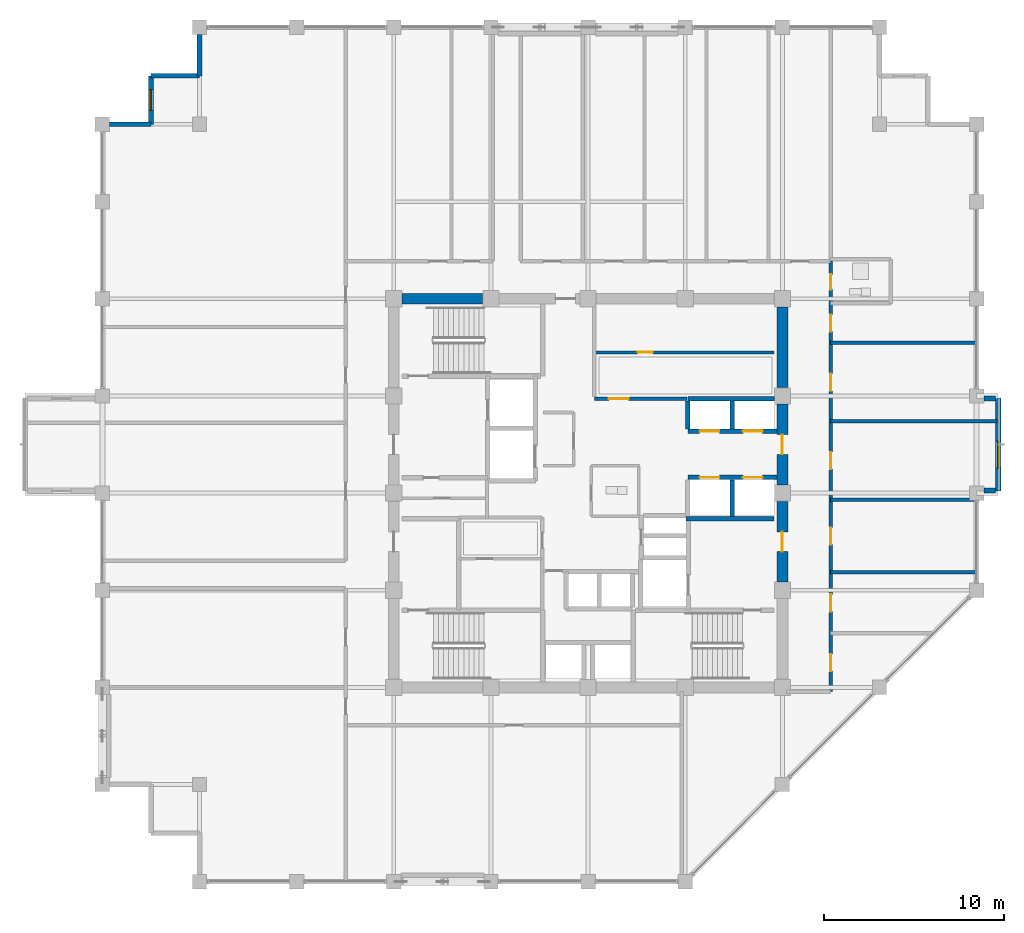
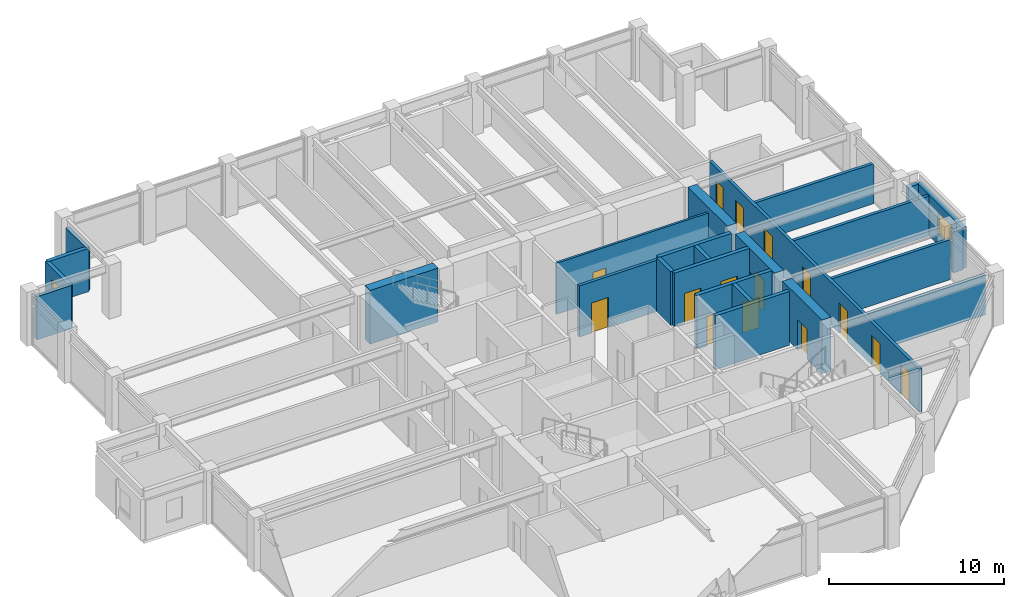
# One storey, part 24 of 28: 25 walls, 15 doors, 2 windows, 17 openings.
"""IFC4 building model written with IfcOpenShell, lengths in metres."""

import ifcopenshell
import ifcopenshell.guid

model = None  # the IFC model being written
_history = None  # IfcOwnerHistory: only IFC2X3 demands one
_inside = {}  # id of a spatial element -> (the spatial element, [elements in it])
_under = {}  # id of a project, library or spatial element -> (it, [spatial elements below it])
_declared = {}  # id of a project -> (the project, [libraries it declares])
_typed = {}  # id of a type object -> (the type object, [elements of that type])
_made_of = {}  # id of a material, layer set ... -> (it, [elements and type objects made of it])


def new_model(schema):
    """Start an empty IFC model of exactly this schema.

    Asked for "IFC4X3", IfcOpenShell would pick the latest addendum, in which some entities
    have other attributes; the version numbers below select the first issue.
    IFC2X3 requires an IfcOwnerHistory on every rooted entity: one is made here for all.
    """
    global model, _history
    if schema == "IFC4X3":
        model = ifcopenshell.file(schema_version=(4, 3, 0, 0))
    else:
        model = ifcopenshell.file(schema=schema)
    _inside.clear()
    _under.clear()
    _declared.clear()
    _typed.clear()
    _made_of.clear()
    _history = None
    if model.schema == "IFC2X3":
        org = make("IfcOrganization", Name="unknown")
        user = make(
            "IfcPersonAndOrganization",
            ThePerson=make("IfcPerson", FamilyName="unknown"),
            TheOrganization=org,
        )
        app = make(
            "IfcApplication",
            ApplicationDeveloper=org,
            Version="unknown",
            ApplicationFullName="unknown",
            ApplicationIdentifier="unknown",
        )
        _history = make(
            "IfcOwnerHistory",
            OwningUser=user,
            OwningApplication=app,
            ChangeAction="ADDED",
            CreationDate=0,
        )
    return model


def make(cls, **values):
    """One entity of the class cls with the attributes given. An attribute that is None is left unset."""
    return model.create_entity(
        cls, **{name: value for name, value in values.items() if value is not None}
    )


def rooted(cls, **values):
    """An entity with a GlobalId (a new one), such as an element, a storey or a relation."""
    return make(cls, GlobalId=ifcopenshell.guid.new(), OwnerHistory=_history, **values)


def si_unit(unit_type, name, prefix=None):
    """IfcSIUnit, for example si_unit("LENGTHUNIT", "METRE", prefix="MILLI")."""
    return make("IfcSIUnit", UnitType=unit_type, Prefix=prefix, Name=name)


def assignment(units):
    """IfcUnitAssignment: the units of a project."""
    return None if units is None else make("IfcUnitAssignment", Units=units)


def point(xyz):
    """IfcCartesianPoint."""
    return None if xyz is None else make("IfcCartesianPoint", Coordinates=xyz)


def direction(xyz):
    """IfcDirection."""
    return None if xyz is None else make("IfcDirection", DirectionRatios=xyz)


def frame(location, z_axis=None, x_axis=None):
    """IfcAxis2Placement3D, a coordinate frame: its origin and axes. An axis left out is left unset."""
    return make(
        "IfcAxis2Placement3D",
        Location=point(location),
        Axis=direction(z_axis),
        RefDirection=direction(x_axis),
    )


def frame_2d(location, x_axis=None):
    """IfcAxis2Placement2D, a coordinate frame in the plane: its origin and x axis."""
    return make(
        "IfcAxis2Placement2D", Location=point(location), RefDirection=direction(x_axis)
    )


def origin():
    """The frame at (0, 0, 0) with its axes left unset."""
    return frame((0.0, 0.0, 0.0))


def place(relative_to, where):
    """IfcLocalPlacement: puts the frame where relative to a parent placement (None: the world)."""
    return make(
        "IfcLocalPlacement", PlacementRelTo=relative_to, RelativePlacement=where
    )


def context(
    kind, dimensions, precision=None, world=None, true_north=None, identifier=None
):
    """IfcGeometricRepresentationContext, for example the 3D "Model" context."""
    return make(
        "IfcGeometricRepresentationContext",
        ContextIdentifier=identifier,
        ContextType=kind,
        CoordinateSpaceDimension=dimensions,
        Precision=precision,
        WorldCoordinateSystem=world,
        TrueNorth=true_north,
    )


def subcontext(parent, identifier, kind, view, scale=None):
    """IfcGeometricRepresentationSubContext, for example "Body" below "Model"."""
    return make(
        "IfcGeometricRepresentationSubContext",
        ContextIdentifier=identifier,
        ContextType=kind,
        ParentContext=parent,
        TargetScale=scale,
        TargetView=view,
    )


def project(units=None, contexts=None):
    """IfcProject with its units and contexts."""
    return rooted(
        "IfcProject",
        Name="project",
        RepresentationContexts=contexts,
        UnitsInContext=assignment(units),
    )


def spatial(cls, under=None, at=None, **own):
    """A site, building, storey or space (cls), placed at a placement, below another one or the project."""
    s = rooted(cls, ObjectPlacement=at, **own)
    if under is not None:
        _under.setdefault(under.id(), (under, []))[1].append(s)
    return s


def profile(cls, at=None, kind="AREA", **sizes):
    """A parametric profile (cls). Its sizes go by their IFC names, for example OverallWidth=200.0."""
    return make(cls, ProfileType=kind, Position=at, **sizes)


def rectangle(**sizes):
    """IfcRectangleProfileDef."""
    return profile("IfcRectangleProfileDef", **sizes)


def extrude(swept, where, along, depth):
    """IfcExtrudedAreaSolid: the profile swept, set in the frame where, extruded along a direction by depth."""
    return make(
        "IfcExtrudedAreaSolid",
        SweptArea=swept,
        Position=where,
        ExtrudedDirection=direction(along),
        Depth=depth,
    )


def shape(context_of_items, identifier, shape_type, items):
    """IfcShapeRepresentation: the items that make up one representation, for example the "Body"."""
    return make(
        "IfcShapeRepresentation",
        ContextOfItems=context_of_items,
        RepresentationIdentifier=identifier,
        RepresentationType=shape_type,
        Items=items,
    )


def material(Name=None, Category=None):
    """IfcMaterial."""
    return make("IfcMaterial", Name=Name, Category=Category)


def layer(
    of_material, thickness, ventilated=None, Name=None, Category=None, Priority=None
):
    """IfcMaterialLayer: one layer of a wall or slab, of a material (None: an air gap)."""
    return make(
        "IfcMaterialLayer",
        Material=of_material,
        LayerThickness=thickness,
        IsVentilated=ventilated,
        Name=Name,
        Category=Category,
        Priority=Priority,
    )


def layer_set(layers, Name=None):
    """IfcMaterialLayerSet."""
    return make("IfcMaterialLayerSet", MaterialLayers=layers, LayerSetName=Name)


def made_of(thing, what):
    """Note that an element or type object is made of a material, layer set ...; save() writes the relation."""
    if what is not None:
        _made_of.setdefault(what.id(), (what, []))[1].append(thing)
    return thing


def type_object(cls, material=None, **own):
    """A type object (cls), such as IfcWallType, which elements share."""
    return made_of(rooted(cls, **own), material)


def element(
    cls,
    number,
    at=None,
    inside=None,
    cuts=None,
    type_object=None,
    material=None,
    context=None,
    identifier="Body",
    shape_type=None,
    held_by="IfcProductDefinitionShape",
    body=None,
    shapes=None,
    **own,
):
    """One element of the class cls, such as IfcWall. Its Tag is "e" and its number.

    at: its placement. inside: the storey or other place that contains it. cuts: it is an
    opening in that element (IfcRelVoidsElement). A single representation is given by context,
    identifier, shape_type and body (its items); several are given by shapes. held_by: the class
    of the entity that holds the representations. save() writes the other relations.
    """
    e = rooted(cls, Tag="e%d" % number, ObjectPlacement=at, **own)
    if body is not None:
        shapes = [shape(context, identifier, shape_type, body)]
    if shapes is not None:
        e.Representation = make(held_by, Representations=shapes)
    if inside is not None:
        _inside.setdefault(inside.id(), (inside, []))[1].append(e)
    if cuts is not None:
        rooted(
            "IfcRelVoidsElement", RelatingBuildingElement=cuts, RelatedOpeningElement=e
        )
    if type_object is not None:
        _typed.setdefault(type_object.id(), (type_object, []))[1].append(e)
    return made_of(e, material)


def fill(opening, filler):
    """IfcRelFillsElement: the door or window that sits in an opening."""
    return rooted(
        "IfcRelFillsElement",
        RelatingOpeningElement=opening,
        RelatedBuildingElement=filler,
    )


def aggregate(whole, parts):
    """IfcRelAggregates: a whole, such as a stair, and the parts it consists of."""
    return rooted("IfcRelAggregates", RelatingObject=whole, RelatedObjects=parts)


def save(model, path):
    """Write the relations noted so far, then the file.

    IfcRelAggregates (storeys below a building ...), IfcRelContainedInSpatialStructure (elements
    in a storey), IfcRelDefinesByType, IfcRelAssociatesMaterial and IfcRelDeclares: one each for
    every whole, place, type object, material and project.
    """
    for whole, parts in _under.values():
        aggregate(whole, parts)
    for where, things in _inside.values():
        rooted(
            "IfcRelContainedInSpatialStructure",
            RelatedElements=things,
            RelatingStructure=where,
        )
    for kind, things in _typed.values():
        rooted("IfcRelDefinesByType", RelatedObjects=things, RelatingType=kind)
    for what, things in _made_of.values():
        rooted("IfcRelAssociatesMaterial", RelatedObjects=things, RelatingMaterial=what)
    for by, libraries in _declared.values():
        rooted("IfcRelDeclares", RelatingContext=by, RelatedDefinitions=libraries)
    model.write(path)


model = new_model("IFC4")

# Units and contexts
model_context = context("Model", 3, precision=1e-05, world=origin(), true_north=direction((0.0, 1.0)))
body_context = subcontext(model_context, "Body", "Model", "MODEL_VIEW")
ifc_project = project(units=[si_unit("LENGTHUNIT", "METRE"), si_unit("AREAUNIT", "SQUARE_METRE"), si_unit("VOLUMEUNIT", "CUBIC_METRE"), si_unit("PLANEANGLEUNIT", "RADIAN"), si_unit("MASSUNIT", "GRAM", prefix="KILO")], contexts=[model_context])

# Site, building, storey
site_placement = place(None, origin())
site = spatial("IfcSite", under=ifc_project, at=site_placement, CompositionType="ELEMENT")
building_placement = place(site_placement, origin())
building = spatial("IfcBuilding", under=site, at=building_placement, Name="Surkhivell Harbour Commons", CompositionType="ELEMENT")
storey_placement = place(building_placement, frame((0.0, 0.0, 242.25)))
storey = spatial("IfcBuildingStorey", under=building, at=storey_placement, Name="L63", CompositionType="ELEMENT", Elevation=242.25)

# Wall
ifc_material_1 = material(Name="Concrete C60/75", Category="concrete")
ifc_layer_1 = layer(ifc_material_1, 0.60009765625)
ifc_layer_set_1 = layer_set([ifc_layer_1], Name="Concrete C60/75")
wall_type_1 = type_object("IfcWallType", Name="WAL-CORE-600", PredefinedType="SHEAR", material=ifc_layer_set_1)
wall_1_placement = place(storey_placement, frame((-10.340087890625, 10.800048828125, 0.0), z_axis=(0.0, 0.0, 1.0), x_axis=(1.0, 0.0, 0.0)))
element("IfcWall", 1, at=wall_1_placement, inside=storey, type_object=wall_type_1, Name="L63 Core Shear Wall North 1", PredefinedType="SHEAR", context=body_context, shape_type="SweptSolid", body=[
    extrude(rectangle(XDim=4.47998046875, YDim=0.60009765625, at=frame_2d((2.239990234375, 0.0))), origin(), (0.0, 0.0, 1.0), 3.75),
])

# Wall, opening, door
wall_2_placement = place(storey_placement, frame((10.800048828125, -4.93994140625, 0.0), z_axis=(0.0, 0.0, 1.0), x_axis=(0.0, 1.0, 0.0)))
wall_2 = element("IfcWall", 2, at=wall_2_placement, inside=storey, type_object=wall_type_1, Name="L63 Core Shear Wall East 2", PredefinedType="SHEAR", context=body_context, shape_type="SweptSolid", body=[
    extrude(rectangle(XDim=4.47998046875, YDim=0.60009765625, at=frame_2d((2.239990234375, 0.0))), origin(), (0.0, 0.0, 1.0), 3.75),
])
opening_1_placement = place(wall_2_placement, frame((1.68994140625, 0.0, 0.0)))
opening_1 = element("IfcOpeningElement", 3, at=opening_1_placement, cuts=wall_2, Name="Opening ID-1", PredefinedType="OPENING", context=body_context, shape_type="SweptSolid", body=[
    extrude(rectangle(XDim=1.10009765625, YDim=2.10009765625, at=frame_2d((0.550048828125, 1.050048828125))), frame((0.0, 0.31005859375, 0.0), z_axis=(0.0, -1.0, 0.0), x_axis=(1.0, 0.0, 0.0)), (0.0, 0.0, 1.0), 0.6201171875),
])
ifc_material_2 = material(Name="Hardwood-veneered fire-rated door leaf", Category="wood")
door_type_1 = type_object("IfcDoorType", Name="DOR-FD120-1100", OperationType="NOTDEFINED", PredefinedType="DOOR", material=ifc_material_2)
door_1_placement = place(opening_1_placement, origin())
door_1 = element("IfcDoor", 4, at=door_1_placement, inside=storey, type_object=door_type_1, Name="L63 Firefighting Lobby 2 Corridor Door", OperationType="SINGLE_SWING_RIGHT", OverallHeight=2.10009765625, OverallWidth=1.10009765625, PredefinedType="DOOR", context=body_context, shape_type="SweptSolid", body=[
    extrude(rectangle(XDim=1.10009765625, YDim=2.10009765625, at=frame_2d((0.550048828125, 1.050048828125))), frame((0.0, 0.02490234375, 0.0), z_axis=(0.0, -1.0, 0.0), x_axis=(1.0, 0.0, 0.0)), (0.0, 0.0, 1.0), 0.050048828125),
])
fill(opening_1, door_1)

wall_3_placement = place(storey_placement, frame((10.800048828125, 0.4599609375, 0.0), z_axis=(0.0, 0.0, 1.0), x_axis=(0.0, 1.0, 0.0)))
wall_3 = element("IfcWall", 5, at=wall_3_placement, inside=storey, type_object=wall_type_1, Name="L63 Core Shear Wall East 3", PredefinedType="SHEAR", context=body_context, shape_type="SweptSolid", body=[
    extrude(rectangle(XDim=4.47998046875, YDim=0.60009765625, at=frame_2d((2.239990234375, 0.0))), origin(), (0.0, 0.0, 1.0), 3.75),
])
opening_2_placement = place(wall_3_placement, frame((1.68994140625, 0.0, 0.0)))
opening_2 = element("IfcOpeningElement", 6, at=opening_2_placement, cuts=wall_3, Name="Opening ID-2", PredefinedType="OPENING", context=body_context, shape_type="SweptSolid", body=[
    extrude(rectangle(XDim=1.10009765625, YDim=2.10009765625, at=frame_2d((0.550048828125, 1.050048828125))), frame((0.0, 0.31005859375, 0.0), z_axis=(0.0, -1.0, 0.0), x_axis=(1.0, 0.0, 0.0)), (0.0, 0.0, 1.0), 0.6201171875),
])
door_type_2 = type_object("IfcDoorType", Name="DOR-FD60-1100", OperationType="NOTDEFINED", PredefinedType="DOOR", material=ifc_material_2)
door_2_placement = place(opening_2_placement, origin())
door_2 = element("IfcDoor", 7, at=door_2_placement, inside=storey, type_object=door_type_2, Name="L63 Mid-Rise Lobby East Door", OperationType="SINGLE_SWING_LEFT", OverallHeight=2.10009765625, OverallWidth=1.10009765625, PredefinedType="DOOR", context=body_context, shape_type="SweptSolid", body=[
    extrude(rectangle(XDim=1.10009765625, YDim=2.10009765625, at=frame_2d((0.550048828125, 1.050048828125))), frame((0.0, 0.02490234375, 0.0), z_axis=(0.0, -1.0, 0.0), x_axis=(1.0, 0.0, 0.0)), (0.0, 0.0, 1.0), 0.050048828125),
])
fill(opening_2, door_2)

# Walls
wall_4_placement = place(storey_placement, frame((10.800048828125, 5.860107421875, 0.0), z_axis=(0.0, 0.0, 1.0), x_axis=(0.0, 1.0, 0.0)))
element("IfcWall", 8, at=wall_4_placement, inside=storey, type_object=wall_type_1, Name="L63 Core Shear Wall East 4", PredefinedType="SHEAR", context=body_context, shape_type="SweptSolid", body=[
    extrude(rectangle(XDim=4.47998046875, YDim=0.60009765625, at=frame_2d((2.239990234375, 0.0))), origin(), (0.0, 0.0, 1.0), 3.75),
])
ifc_material_3 = material(Name="Pale-metal insulated precast concrete C45/55", Category="concrete")
ifc_layer_2 = layer(ifc_material_3, 0.260009765625)
ifc_layer_set_2 = layer_set([ifc_layer_2], Name="Pale-metal insulated precast concrete C45/55")
wall_type_2 = type_object("IfcWallType", Name="WAL-EXT-MTL260", PredefinedType="STANDARD", material=ifc_layer_set_2)
wall_5_placement = place(storey_placement, frame((-21.60009765625, 25.501953125, 0.0), z_axis=(0.0, 0.0, 1.0), x_axis=(0.0, -1.0, 0.0)))
element("IfcWall", 9, at=wall_5_placement, inside=storey, type_object=wall_type_2, Name="L63 Serrated Corner Facade Wall 08", PredefinedType="STANDARD", context=body_context, shape_type="SweptSolid", body=[
    extrude(rectangle(XDim=2.302001953125, YDim=0.260009765625, at=frame_2d((1.15087890625, 0.0))), origin(), (0.0, 0.0, 1.0), 3.006103515625),
])
wall_6_placement = place(storey_placement, frame((-21.60009765625, 23.199951171875, 0.0), z_axis=(0.0, 0.0, 1.0), x_axis=(-1.0, 0.0, 0.0)))
element("IfcWall", 10, at=wall_6_placement, inside=storey, type_object=wall_type_2, Name="L63 Serrated Corner Facade Wall 09", PredefinedType="STANDARD", context=body_context, shape_type="SweptSolid", body=[
    extrude(rectangle(XDim=2.699951171875, YDim=0.260009765625, at=frame_2d((1.35009765625, 0.0))), origin(), (0.0, 0.0, 1.0), 3.006103515625),
])

# Wall, opening, window
wall_7_placement = place(storey_placement, frame((-24.300048828125, 23.199951171875, 0.0), z_axis=(0.0, 0.0, 1.0), x_axis=(0.0, -1.0, 0.0)))
wall_7 = element("IfcWall", 11, at=wall_7_placement, inside=storey, type_object=wall_type_2, Name="L63 Serrated Corner Facade Wall 10", PredefinedType="STANDARD", context=body_context, shape_type="SweptSolid", body=[
    extrude(rectangle(XDim=2.699951171875, YDim=0.260009765625, at=frame_2d((1.35009765625, 0.0))), origin(), (0.0, 0.0, 1.0), 3.006103515625),
])
opening_3_placement = place(wall_7_placement, frame((0.77490234375, 0.0, 0.64990234375)))
opening_3 = element("IfcOpeningElement", 12, at=opening_3_placement, cuts=wall_7, Name="Opening WN-10", PredefinedType="OPENING", context=body_context, shape_type="SweptSolid", body=[
    extrude(rectangle(XDim=1.14990234375, YDim=1.550048828125, at=frame_2d((0.574951171875, 0.77490234375))), frame((0.0, 0.139892578125, 0.0), z_axis=(0.0, -1.0, 0.0), x_axis=(1.0, 0.0, 0.0)), (0.0, 0.0, 1.0), 0.280029296875),
])
ifc_material_4 = material(Name="Thermal-break aluminium frame and double low-E glazing", Category="aluminium")
window_type_1 = type_object("IfcWindowType", Name="WIN-SER-1150x1550", PartitioningType="SINGLE_PANEL", PredefinedType="WINDOW", material=ifc_material_4)
window_1_placement = place(opening_3_placement, origin())
window_1 = element("IfcWindow", 13, at=window_1_placement, inside=storey, type_object=window_type_1, Name="L63 Serrated Alcove Window 10", OverallHeight=1.550048828125, OverallWidth=1.14990234375, PartitioningType="SINGLE_PANEL", PredefinedType="WINDOW", context=body_context, shape_type="SweptSolid", body=[
    extrude(rectangle(XDim=1.14990234375, YDim=1.550048828125, at=frame_2d((0.574951171875, 0.77490234375))), frame((0.0, 0.030029296875, 0.0), z_axis=(0.0, -1.0, 0.0), x_axis=(1.0, 0.0, 0.0)), (0.0, 0.0, 1.0), 0.06005859375),
])
fill(opening_3, window_1)

# Wall
wall_8_placement = place(storey_placement, frame((-24.300048828125, 20.5, 0.0), z_axis=(0.0, 0.0, 1.0), x_axis=(-1.0, 0.0, 0.0)))
element("IfcWall", 14, at=wall_8_placement, inside=storey, type_object=wall_type_2, Name="L63 Serrated Corner Facade Wall 11", PredefinedType="STANDARD", context=body_context, shape_type="SweptSolid", body=[
    extrude(rectangle(XDim=2.302001953125, YDim=0.260009765625, at=frame_2d((1.15087890625, 0.0))), origin(), (0.0, 0.0, 1.0), 3.006103515625),
])

# Wall, opening, window
ifc_material_5 = material(Name="Terracotta-clad reinforced concrete C45/55", Category="masonry")
ifc_layer_3 = layer(ifc_material_5, 0.280029296875)
ifc_layer_set_3 = layer_set([ifc_layer_3], Name="Terracotta-clad reinforced concrete C45/55")
wall_type_3 = type_object("IfcWallType", Name="WAL-EXT-TER280", PredefinedType="STANDARD", material=ifc_layer_set_3)
wall_9_placement = place(storey_placement, frame((22.800048828125, 0.1201171875, 0.0), z_axis=(0.0, 0.0, 1.0), x_axis=(0.0, 1.0, 0.0)))
wall_9 = element("IfcWall", 15, at=wall_9_placement, inside=storey, type_object=wall_type_3, Name="L63 Coloured Box Front Wall 01", PredefinedType="STANDARD", context=body_context, shape_type="SweptSolid", body=[
    extrude(rectangle(XDim=5.159912109375, YDim=0.280029296875, at=frame_2d((2.580078125, 0.0))), origin(), (0.0, 0.0, 1.0), 2.85693359375),
])
opening_4_placement = place(wall_9_placement, frame((1.27490234375, 0.0, 0.75)))
opening_4 = element("IfcOpeningElement", 16, at=opening_4_placement, cuts=wall_9, Name="Opening WN-13", PredefinedType="OPENING", context=body_context, shape_type="SweptSolid", body=[
    extrude(rectangle(XDim=1.5, YDim=1.5, at=frame_2d((0.75, 0.75))), frame((0.0, 0.14990234375, 0.0), z_axis=(0.0, -1.0, 0.0), x_axis=(1.0, 0.0, 0.0)), (0.0, 0.0, 1.0), 0.300048828125),
])
window_type_2 = type_object("IfcWindowType", Name="WIN-BOX-1500x1500", PartitioningType="SINGLE_PANEL", PredefinedType="WINDOW", material=ifc_material_4)
window_2_placement = place(opening_4_placement, origin())
window_2 = element("IfcWindow", 17, at=window_2_placement, inside=storey, type_object=window_type_2, Name="L63 Coloured Box Square Window 01-1", OverallHeight=1.5, OverallWidth=1.5, PartitioningType="SINGLE_PANEL", PredefinedType="WINDOW", context=body_context, shape_type="SweptSolid", body=[
    extrude(rectangle(XDim=1.5, YDim=1.5, at=frame_2d((0.75, 0.75))), frame((0.0, 0.030029296875, 0.0), z_axis=(0.0, -1.0, 0.0), x_axis=(1.0, 0.0, 0.0)), (0.0, 0.0, 1.0), 0.06005859375),
])
fill(opening_4, window_2)

# Walls
for number, where, z_axis, x_axis, name in (
    (18, (22.00390625, 0.139892578125, 0.0), (0.0, 0.0, 1.0), (1.0, 0.0, 0.0), "L63 Coloured Box Return Wall 01S"),
    (19, (22.00390625, 5.260009765625, 0.0), (0.0, 0.0, 1.0), (1.0, 0.0, 0.0), "L63 Coloured Box Return Wall 01N"),
):
    element("IfcWall", number, at=place(storey_placement, frame(where, z_axis=z_axis, x_axis=x_axis)), inside=storey, type_object=wall_type_3, Name=name, PredefinedType="STANDARD", context=body_context, shape_type="SweptSolid", body=[
        extrude(rectangle(XDim=0.656005859375, YDim=0.280029296875, at=frame_2d((0.328125, 0.0))), origin(), (0.0, 0.0, 1.0), 2.85693359375),
    ])

# Wall, opening, door
ifc_material_6 = material(Name="Twin-stud acoustic fireboard partition", Category="other")
ifc_layer_4 = layer(ifc_material_6, 0.14990234375)
ifc_layer_set_4 = layer_set([ifc_layer_4], Name="Twin-stud acoustic fireboard partition")
wall_type_4 = type_object("IfcWallType", Name="WAL-INT-150", PredefinedType="PARTITIONING", material=ifc_layer_set_4)
wall_10_placement = place(storey_placement, frame((0.35009765625, 7.820068359375, 0.0), z_axis=(0.0, 0.0, 1.0), x_axis=(1.0, 0.0, 0.0)))
wall_10 = element("IfcWall", 20, at=wall_10_placement, inside=storey, type_object=wall_type_4, Name="L63 Core Archive Partition", PredefinedType="PARTITIONING", context=body_context, shape_type="SweptSolid", body=[
    extrude(rectangle(XDim=9.989990234375, YDim=0.14990234375, at=frame_2d((4.9951171875, 0.0))), origin(), (0.0, 0.0, 1.0), 3.570068359375),
])
opening_5_placement = place(wall_10_placement, frame((2.39990234375, 0.0, 0.0)))
opening_5 = element("IfcOpeningElement", 21, at=opening_5_placement, cuts=wall_10, Name="Opening ID-6", PredefinedType="OPENING", context=body_context, shape_type="SweptSolid", body=[
    extrude(rectangle(XDim=0.85009765625, YDim=2.10009765625, at=frame_2d((0.425048828125, 1.050048828125))), frame((0.0, 0.0849609375, 0.0), z_axis=(0.0, -1.0, 0.0), x_axis=(1.0, 0.0, 0.0)), (0.0, 0.0, 1.0), 0.169921875),
])
door_type_3 = type_object("IfcDoorType", Name="DOR-FD30-850", OperationType="NOTDEFINED", PredefinedType="DOOR", material=ifc_material_2)
door_3_placement = place(opening_5_placement, origin())
door_3 = element("IfcDoor", 22, at=door_3_placement, inside=storey, type_object=door_type_3, Name="L63 Archive Room Door", OperationType="SINGLE_SWING_LEFT", OverallHeight=2.10009765625, OverallWidth=0.85009765625, PredefinedType="DOOR", context=body_context, shape_type="SweptSolid", body=[
    extrude(rectangle(XDim=0.85009765625, YDim=2.10009765625, at=frame_2d((0.425048828125, 1.050048828125))), frame((0.0, 0.02490234375, 0.0), z_axis=(0.0, -1.0, 0.0), x_axis=(1.0, 0.0, 0.0)), (0.0, 0.0, 1.0), 0.050048828125),
])
fill(opening_5, door_3)

ifc_material_7 = material(Name="Autoclaved aerated concrete blockwork and fire plaster", Category="masonry")
ifc_layer_5 = layer(ifc_material_7, 0.199951171875)
ifc_layer_set_5 = layer_set([ifc_layer_5], Name="Autoclaved aerated concrete blockwork and fire plaster")
wall_type_5 = type_object("IfcWallType", Name="WAL-INT-200", PredefinedType="PARTITIONING", material=ifc_layer_set_5)
wall_11_placement = place(storey_placement, frame((0.35009765625, 5.239990234375, 0.0), z_axis=(0.0, 0.0, 1.0), x_axis=(1.0, 0.0, 0.0)))
wall_11 = element("IfcWall", 23, at=wall_11_placement, inside=storey, type_object=wall_type_5, Name="L63 Reclaimed Core North Bay South Wall", PredefinedType="PARTITIONING", context=body_context, shape_type="SweptSolid", body=[
    extrude(rectangle(XDim=5.14990234375, YDim=0.199951171875, at=frame_2d((2.574951171875, 0.0))), origin(), (0.0, 0.0, 1.0), 3.570068359375),
])
opening_6_placement = place(wall_11_placement, frame((0.800048828125, 0.0, 0.0)))
opening_6 = element("IfcOpeningElement", 24, at=opening_6_placement, cuts=wall_11, Name="Opening ID-2", PredefinedType="OPENING", context=body_context, shape_type="SweptSolid", body=[
    extrude(rectangle(XDim=1.10009765625, YDim=2.10009765625, at=frame_2d((0.550048828125, 1.050048828125))), frame((0.0, 0.10986328125, 0.0), z_axis=(0.0, -1.0, 0.0), x_axis=(1.0, 0.0, 0.0)), (0.0, 0.0, 1.0), 0.219970703125),
])
door_4_placement = place(opening_6_placement, origin())
door_4 = element("IfcDoor", 25, at=door_4_placement, inside=storey, type_object=door_type_2, Name="L63 Study Alcove Door", OperationType="SINGLE_SWING_RIGHT", OverallHeight=2.10009765625, OverallWidth=1.10009765625, PredefinedType="DOOR", context=body_context, shape_type="SweptSolid", body=[
    extrude(rectangle(XDim=1.10009765625, YDim=2.10009765625, at=frame_2d((0.550048828125, 1.050048828125))), frame((0.0, 0.02490234375, 0.0), z_axis=(0.0, -1.0, 0.0), x_axis=(1.0, 0.0, 0.0)), (0.0, 0.0, 1.0), 0.050048828125),
])
fill(opening_6, door_4)

# Wall, openings, doors
wall_12_placement = place(storey_placement, frame((13.47998046875, -11.0400390625, 0.0), z_axis=(0.0, 0.0, 1.0), x_axis=(0.0, 1.0, 0.0)))
wall_12 = element("IfcWall", 26, at=wall_12_placement, inside=storey, type_object=wall_type_5, Name="L63 Corridor East Wall", PredefinedType="PARTITIONING", context=body_context, shape_type="SweptSolid", body=[
    extrude(rectangle(XDim=23.93994140625, YDim=0.199951171875, at=frame_2d((11.969970703125, 0.0))), origin(), (0.0, 0.0, 1.0), 3.006103515625),
])
opening_7_placement = place(wall_12_placement, frame((1.139892578125, 0.0, 0.0)))
opening_7 = element("IfcOpeningElement", 27, at=opening_7_placement, cuts=wall_12, Name="Opening ID-4", PredefinedType="OPENING", context=body_context, shape_type="SweptSolid", body=[
    extrude(rectangle(XDim=0.949951171875, YDim=2.10009765625, at=frame_2d((0.47509765625, 1.050048828125))), frame((0.0, 0.10986328125, 0.0), z_axis=(0.0, -1.0, 0.0), x_axis=(1.0, 0.0, 0.0)), (0.0, 0.0, 1.0), 0.219970703125),
])
opening_8_placement = place(wall_12_placement, frame((22.344970703125, 0.0, 0.0)))
opening_8 = element("IfcOpeningElement", 28, at=opening_8_placement, cuts=wall_12, Name="Opening ID-6", PredefinedType="OPENING", context=body_context, shape_type="SweptSolid", body=[
    extrude(rectangle(XDim=0.85009765625, YDim=2.10009765625, at=frame_2d((0.425048828125, 1.050048828125))), frame((0.0, 0.10986328125, 0.0), z_axis=(0.0, -1.0, 0.0), x_axis=(1.0, 0.0, 0.0)), (0.0, 0.0, 1.0), 0.219970703125),
])
opening_9_placement = place(wall_12_placement, frame((20.010009765625, 0.0, 0.0)))
opening_9 = element("IfcOpeningElement", 29, at=opening_9_placement, cuts=wall_12, Name="Opening ID-4", PredefinedType="OPENING", context=body_context, shape_type="SweptSolid", body=[
    extrude(rectangle(XDim=0.949951171875, YDim=2.10009765625, at=frame_2d((0.47509765625, 1.050048828125))), frame((0.0, 0.10986328125, 0.0), z_axis=(0.0, -1.0, 0.0), x_axis=(1.0, 0.0, 0.0)), (0.0, 0.0, 1.0), 0.219970703125),
])
opening_10_placement = place(wall_12_placement, frame((4.455078125, 0.0, 0.0)))
opening_10 = element("IfcOpeningElement", 30, at=opening_10_placement, cuts=wall_12, Name="Opening ID-4", PredefinedType="OPENING", context=body_context, shape_type="SweptSolid", body=[
    extrude(rectangle(XDim=0.949951171875, YDim=2.10009765625, at=frame_2d((0.47509765625, 1.050048828125))), frame((0.0, 0.10986328125, 0.0), z_axis=(0.0, -1.0, 0.0), x_axis=(1.0, 0.0, 0.0)), (0.0, 0.0, 1.0), 0.219970703125),
])
opening_11_placement = place(wall_12_placement, frame((8.169921875, 0.0, 0.0)))
opening_11 = element("IfcOpeningElement", 31, at=opening_11_placement, cuts=wall_12, Name="Opening ID-4", PredefinedType="OPENING", context=body_context, shape_type="SweptSolid", body=[
    extrude(rectangle(XDim=0.949951171875, YDim=2.10009765625, at=frame_2d((0.47509765625, 1.050048828125))), frame((0.0, 0.10986328125, 0.0), z_axis=(0.0, -1.0, 0.0), x_axis=(1.0, 0.0, 0.0)), (0.0, 0.0, 1.0), 0.219970703125),
])
opening_12_placement = place(wall_12_placement, frame((12.3701171875, 0.0, 0.0)))
opening_12 = element("IfcOpeningElement", 32, at=opening_12_placement, cuts=wall_12, Name="Opening ID-4", PredefinedType="OPENING", context=body_context, shape_type="SweptSolid", body=[
    extrude(rectangle(XDim=0.949951171875, YDim=2.10009765625, at=frame_2d((0.47509765625, 1.050048828125))), frame((0.0, 0.10986328125, 0.0), z_axis=(0.0, -1.0, 0.0), x_axis=(1.0, 0.0, 0.0)), (0.0, 0.0, 1.0), 0.219970703125),
])
opening_13_placement = place(wall_12_placement, frame((16.72998046875, 0.0, 0.0)))
opening_13 = element("IfcOpeningElement", 33, at=opening_13_placement, cuts=wall_12, Name="Opening ID-4", PredefinedType="OPENING", context=body_context, shape_type="SweptSolid", body=[
    extrude(rectangle(XDim=0.949951171875, YDim=2.10009765625, at=frame_2d((0.47509765625, 1.050048828125))), frame((0.0, 0.10986328125, 0.0), z_axis=(0.0, -1.0, 0.0), x_axis=(1.0, 0.0, 0.0)), (0.0, 0.0, 1.0), 0.219970703125),
])
door_5_placement = place(opening_8_placement, origin())
door_5 = element("IfcDoor", 34, at=door_5_placement, inside=storey, type_object=door_type_3, Name="L63 Communal Shower Bathroom East Door", OperationType="SINGLE_SWING_LEFT", OverallHeight=2.10009765625, OverallWidth=0.85009765625, PredefinedType="DOOR", context=body_context, shape_type="SweptSolid", body=[
    extrude(rectangle(XDim=0.85009765625, YDim=2.10009765625, at=frame_2d((0.425048828125, 1.050048828125))), frame((0.0, 0.02490234375, 0.0), z_axis=(0.0, -1.0, 0.0), x_axis=(1.0, 0.0, 0.0)), (0.0, 0.0, 1.0), 0.050048828125),
])
fill(opening_8, door_5)
door_type_4 = type_object("IfcDoorType", Name="DOR-FD60-950", OperationType="NOTDEFINED", PredefinedType="DOOR", material=ifc_material_2)
door_6_placement = place(opening_7_placement, origin())
door_6 = element("IfcDoor", 35, at=door_6_placement, inside=storey, type_object=door_type_4, Name="L63 Shared Communal Kitchen East Door", OperationType="SINGLE_SWING_RIGHT", OverallHeight=2.10009765625, OverallWidth=0.949951171875, PredefinedType="DOOR", context=body_context, shape_type="SweptSolid", body=[
    extrude(rectangle(XDim=0.949951171875, YDim=2.10009765625, at=frame_2d((0.47509765625, 1.050048828125))), frame((0.0, 0.02490234375, 0.0), z_axis=(0.0, -1.0, 0.0), x_axis=(1.0, 0.0, 0.0)), (0.0, 0.0, 1.0), 0.050048828125),
])
fill(opening_7, door_6)
door_7_placement = place(opening_9_placement, origin())
door_7 = element("IfcDoor", 36, at=door_7_placement, inside=storey, type_object=door_type_4, Name="L63 Academic Reading Commons East Door", OperationType="SINGLE_SWING_RIGHT", OverallHeight=2.10009765625, OverallWidth=0.949951171875, PredefinedType="DOOR", context=body_context, shape_type="SweptSolid", body=[
    extrude(rectangle(XDim=0.949951171875, YDim=2.10009765625, at=frame_2d((0.47509765625, 1.050048828125))), frame((0.0, 0.02490234375, 0.0), z_axis=(0.0, -1.0, 0.0), x_axis=(1.0, 0.0, 0.0)), (0.0, 0.0, 1.0), 0.050048828125),
])
fill(opening_9, door_7)
door_8_placement = place(opening_10_placement, origin())
door_8 = element("IfcDoor", 37, at=door_8_placement, inside=storey, type_object=door_type_4, Name="L63 Hostel Cluster Bedroom 1 East Door", OperationType="SINGLE_SWING_LEFT", OverallHeight=2.10009765625, OverallWidth=0.949951171875, PredefinedType="DOOR", context=body_context, shape_type="SweptSolid", body=[
    extrude(rectangle(XDim=0.949951171875, YDim=2.10009765625, at=frame_2d((0.47509765625, 1.050048828125))), frame((0.0, 0.02490234375, 0.0), z_axis=(0.0, -1.0, 0.0), x_axis=(1.0, 0.0, 0.0)), (0.0, 0.0, 1.0), 0.050048828125),
])
fill(opening_10, door_8)
door_9_placement = place(opening_11_placement, origin())
door_9 = element("IfcDoor", 38, at=door_9_placement, inside=storey, type_object=door_type_4, Name="L63 Co-Living Dormitory Bedroom 2 East Door", OperationType="SINGLE_SWING_RIGHT", OverallHeight=2.10009765625, OverallWidth=0.949951171875, PredefinedType="DOOR", context=body_context, shape_type="SweptSolid", body=[
    extrude(rectangle(XDim=0.949951171875, YDim=2.10009765625, at=frame_2d((0.47509765625, 1.050048828125))), frame((0.0, 0.02490234375, 0.0), z_axis=(0.0, -1.0, 0.0), x_axis=(1.0, 0.0, 0.0)), (0.0, 0.0, 1.0), 0.050048828125),
])
fill(opening_11, door_9)
door_10_placement = place(opening_12_placement, origin())
door_10 = element("IfcDoor", 39, at=door_10_placement, inside=storey, type_object=door_type_4, Name="L63 Hostel Cluster Bedroom 3 East Door", OperationType="SINGLE_SWING_LEFT", OverallHeight=2.10009765625, OverallWidth=0.949951171875, PredefinedType="DOOR", context=body_context, shape_type="SweptSolid", body=[
    extrude(rectangle(XDim=0.949951171875, YDim=2.10009765625, at=frame_2d((0.47509765625, 1.050048828125))), frame((0.0, 0.02490234375, 0.0), z_axis=(0.0, -1.0, 0.0), x_axis=(1.0, 0.0, 0.0)), (0.0, 0.0, 1.0), 0.050048828125),
])
fill(opening_12, door_10)
door_11_placement = place(opening_13_placement, origin())
door_11 = element("IfcDoor", 40, at=door_11_placement, inside=storey, type_object=door_type_4, Name="L63 Co-Living Dormitory Bedroom 4 East Door", OperationType="SINGLE_SWING_RIGHT", OverallHeight=2.10009765625, OverallWidth=0.949951171875, PredefinedType="DOOR", context=body_context, shape_type="SweptSolid", body=[
    extrude(rectangle(XDim=0.949951171875, YDim=2.10009765625, at=frame_2d((0.47509765625, 1.050048828125))), frame((0.0, 0.02490234375, 0.0), z_axis=(0.0, -1.0, 0.0), x_axis=(1.0, 0.0, 0.0)), (0.0, 0.0, 1.0), 0.050048828125),
])
fill(opening_13, door_11)

# Walls
for number, where, z_axis, x_axis, name in (
    (41, (13.47998046875, -4.409912109375, 0.0), (0.0, 0.0, 1.0), (1.0, 0.0, 0.0), "L63 East Partition BDP1"),
    (42, (13.47998046875, -0.3701171875, 0.0), (0.0, 0.0, 1.0), (1.0, 0.0, 0.0), "L63 East Partition BDP2"),
):
    element("IfcWall", number, at=place(storey_placement, frame(where, z_axis=z_axis, x_axis=x_axis)), inside=storey, type_object=wall_type_5, Name=name, PredefinedType="PARTITIONING", context=body_context, shape_type="SweptSolid", body=[
        extrude(rectangle(XDim=8.06005859375, YDim=0.199951171875, at=frame_2d((4.030029296875, 0.0))), origin(), (0.0, 0.0, 1.0), 2.780029296875),
    ])
wall_13_placement = place(storey_placement, frame((13.47998046875, 3.989990234375, 0.0), z_axis=(0.0, 0.0, 1.0), x_axis=(1.0, 0.0, 0.0)))
element("IfcWall", 43, at=wall_13_placement, inside=storey, type_object=wall_type_5, Name="L63 East Partition BDP3", PredefinedType="PARTITIONING", context=body_context, shape_type="SweptSolid", body=[
    extrude(rectangle(XDim=9.260009765625, YDim=0.199951171875, at=frame_2d((4.6298828125, 0.0))), origin(), (0.0, 0.0, 1.0), 2.780029296875),
])
wall_14_placement = place(storey_placement, frame((13.47998046875, 8.35009765625, 0.0), z_axis=(0.0, 0.0, 1.0), x_axis=(1.0, 0.0, 0.0)))
element("IfcWall", 44, at=wall_14_placement, inside=storey, type_object=wall_type_5, Name="L63 East Partition PTOP", PredefinedType="PARTITIONING", context=body_context, shape_type="SweptSolid", body=[
    extrude(rectangle(XDim=8.06005859375, YDim=0.199951171875, at=frame_2d((4.030029296875, 0.0))), origin(), (0.0, 0.0, 1.0), 2.780029296875),
])
ifc_material_8 = material(Name="Concrete C50/60", Category="concrete")
ifc_layer_6 = layer(ifc_material_8, 0.25)
ifc_layer_set_6 = layer_set([ifc_layer_6], Name="Concrete C50/60")
wall_type_6 = type_object("IfcWallType", Name="WAL-SHAFT-250", PredefinedType="SHEAR", material=ifc_layer_set_6)
wall_15_placement = place(storey_placement, frame((5.43994140625, -1.419921875, 0.0), z_axis=(0.0, 0.0, 1.0), x_axis=(1.0, 0.0, 0.0)))
element("IfcWall", 45, at=wall_15_placement, inside=storey, type_object=wall_type_6, Name="L63 Firefighting Lobby 2 North Wall", PredefinedType="SHEAR", context=body_context, shape_type="SweptSolid", body=[
    extrude(rectangle(XDim=4.900146484375, YDim=0.25, at=frame_2d((2.4501953125, 0.0))), origin(), (0.0, 0.0, 1.0), 3.75),
])
for number, where, z_axis, x_axis, name in (
    (46, (5.550048828125, 3.550048828125, 0.0), (0.0, 0.0, 1.0), (0.0, 1.0, 0.0), "L63 Mid-Rise Shaft Side Wall N"),
    (47, (8.0, 3.550048828125, 0.0), (0.0, 0.0, 1.0), (0.0, 1.0, 0.0), "L63 Mid-Rise Shaft Side Wall N"),
):
    element("IfcWall", number, at=place(storey_placement, frame(where, z_axis=z_axis, x_axis=x_axis)), inside=storey, type_object=wall_type_6, Name=name, PredefinedType="SHEAR", context=body_context, shape_type="SweptSolid", body=[
        extrude(rectangle(XDim=1.570068359375, YDim=0.25, at=frame_2d((0.78515625, 0.0))), origin(), (0.0, 0.0, 1.0), 3.75),
    ])
wall_16_placement = place(storey_placement, frame((8.0, -1.300048828125, 0.0), z_axis=(0.0, 0.0, 1.0), x_axis=(0.0, 1.0, 0.0)))
element("IfcWall", 48, at=wall_16_placement, inside=storey, type_object=wall_type_6, Name="L63 Mid-Rise Shaft Side Wall S", PredefinedType="SHEAR", context=body_context, shape_type="SweptSolid", body=[
    extrude(rectangle(XDim=2.0400390625, YDim=0.25, at=frame_2d((1.02001953125, 0.0))), origin(), (0.0, 0.0, 1.0), 3.75),
])

# Wall, openings, doors
wall_17_placement = place(storey_placement, frame((5.550048828125, 3.429931640625, 0.0), z_axis=(0.0, 0.0, 1.0), x_axis=(1.0, 0.0, 0.0)))
wall_17 = element("IfcWall", 49, at=wall_17_placement, inside=storey, type_object=wall_type_6, Name="L63 Mid-Rise North Front Shaft Wall", PredefinedType="SHEAR", context=body_context, shape_type="SweptSolid", body=[
    extrude(rectangle(XDim=4.949951171875, YDim=0.25, at=frame_2d((2.47509765625, 0.0))), origin(), (0.0, 0.0, 1.0), 3.75),
])
opening_14_placement = place(wall_17_placement, frame((0.64990234375, 0.0, 0.0)))
opening_14 = element("IfcOpeningElement", 50, at=opening_14_placement, cuts=wall_17, Name="Opening LD-1", PredefinedType="OPENING", context=body_context, shape_type="SweptSolid", body=[
    extrude(rectangle(XDim=1.10009765625, YDim=2.10009765625, at=frame_2d((0.550048828125, 1.050048828125))), frame((0.0, 0.135009765625, 0.0), z_axis=(0.0, -1.0, 0.0), x_axis=(1.0, 0.0, 0.0)), (0.0, 0.0, 1.0), 0.27001953125),
])
opening_15_placement = place(wall_17_placement, frame((3.050048828125, 0.0, 0.0)))
opening_15 = element("IfcOpeningElement", 51, at=opening_15_placement, cuts=wall_17, Name="Opening LD-1", PredefinedType="OPENING", context=body_context, shape_type="SweptSolid", body=[
    extrude(rectangle(XDim=1.10009765625, YDim=2.10009765625, at=frame_2d((0.550048828125, 1.050048828125))), frame((0.0, 0.135009765625, 0.0), z_axis=(0.0, -1.0, 0.0), x_axis=(1.0, 0.0, 0.0)), (0.0, 0.0, 1.0), 0.27001953125),
])
ifc_material_9 = material(Name="Brushed stainless steel S355", Category="steel")
door_type_5 = type_object("IfcDoorType", Name="DOR-LD-1100", OperationType="SLIDING_TO_LEFT", PredefinedType="DOOR", material=ifc_material_9)
door_12_placement = place(opening_14_placement, origin())
door_12 = element("IfcDoor", 52, at=door_12_placement, inside=storey, type_object=door_type_5, Name="L63 Lift Landing Door LD-PM1", OperationType="SLIDING_TO_RIGHT", OverallHeight=2.10009765625, OverallWidth=1.10009765625, PredefinedType="DOOR", context=body_context, shape_type="SweptSolid", body=[
    extrude(rectangle(XDim=1.10009765625, YDim=2.10009765625, at=frame_2d((0.550048828125, 1.050048828125))), frame((0.0, 0.02490234375, 0.0), z_axis=(0.0, -1.0, 0.0), x_axis=(1.0, 0.0, 0.0)), (0.0, 0.0, 1.0), 0.050048828125),
])
fill(opening_14, door_12)
door_13_placement = place(opening_15_placement, origin())
door_13 = element("IfcDoor", 53, at=door_13_placement, inside=storey, type_object=door_type_5, Name="L63 Lift Landing Door LD-PM2", OperationType="SLIDING_TO_RIGHT", OverallHeight=2.10009765625, OverallWidth=1.10009765625, PredefinedType="DOOR", context=body_context, shape_type="SweptSolid", body=[
    extrude(rectangle(XDim=1.10009765625, YDim=2.10009765625, at=frame_2d((0.550048828125, 1.050048828125))), frame((0.0, 0.02490234375, 0.0), z_axis=(0.0, -1.0, 0.0), x_axis=(1.0, 0.0, 0.0)), (0.0, 0.0, 1.0), 0.050048828125),
])
fill(opening_15, door_13)

# Wall
wall_18_placement = place(storey_placement, frame((5.550048828125, 5.239990234375, 0.0), z_axis=(0.0, 0.0, 1.0), x_axis=(1.0, 0.0, 0.0)))
element("IfcWall", 54, at=wall_18_placement, inside=storey, type_object=wall_type_6, Name="L63 Mid-Rise North Back Shaft Wall", PredefinedType="SHEAR", context=body_context, shape_type="SweptSolid", body=[
    extrude(rectangle(XDim=4.800048828125, YDim=0.25, at=frame_2d((2.39990234375, 0.0))), origin(), (0.0, 0.0, 1.0), 3.75),
])

# Wall, openings, doors
wall_19_placement = place(storey_placement, frame((5.550048828125, 0.8701171875, 0.0), z_axis=(0.0, 0.0, 1.0), x_axis=(1.0, 0.0, 0.0)))
wall_19 = element("IfcWall", 55, at=wall_19_placement, inside=storey, type_object=wall_type_6, Name="L63 Mid-Rise South Front Shaft Wall", PredefinedType="SHEAR", context=body_context, shape_type="SweptSolid", body=[
    extrude(rectangle(XDim=4.949951171875, YDim=0.25, at=frame_2d((2.47509765625, 0.0))), origin(), (0.0, 0.0, 1.0), 3.75),
])
opening_16_placement = place(wall_19_placement, frame((0.64990234375, 0.0, 0.0)))
opening_16 = element("IfcOpeningElement", 56, at=opening_16_placement, cuts=wall_19, Name="Opening LD-1", PredefinedType="OPENING", context=body_context, shape_type="SweptSolid", body=[
    extrude(rectangle(XDim=1.10009765625, YDim=2.10009765625, at=frame_2d((0.550048828125, 1.050048828125))), frame((0.0, 0.135009765625, 0.0), z_axis=(0.0, -1.0, 0.0), x_axis=(1.0, 0.0, 0.0)), (0.0, 0.0, 1.0), 0.27001953125),
])
opening_17_placement = place(wall_19_placement, frame((3.050048828125, 0.0, 0.0)))
opening_17 = element("IfcOpeningElement", 57, at=opening_17_placement, cuts=wall_19, Name="Opening LD-1", PredefinedType="OPENING", context=body_context, shape_type="SweptSolid", body=[
    extrude(rectangle(XDim=1.10009765625, YDim=2.10009765625, at=frame_2d((0.550048828125, 1.050048828125))), frame((0.0, 0.135009765625, 0.0), z_axis=(0.0, -1.0, 0.0), x_axis=(1.0, 0.0, 0.0)), (0.0, 0.0, 1.0), 0.27001953125),
])
door_14_placement = place(opening_16_placement, origin())
door_14 = element("IfcDoor", 58, at=door_14_placement, inside=storey, type_object=door_type_5, Name="L63 Lift Landing Door LD-PM3", OperationType="SLIDING_TO_RIGHT", OverallHeight=2.10009765625, OverallWidth=1.10009765625, PredefinedType="DOOR", context=body_context, shape_type="SweptSolid", body=[
    extrude(rectangle(XDim=1.10009765625, YDim=2.10009765625, at=frame_2d((0.550048828125, 1.050048828125))), frame((0.0, 0.02490234375, 0.0), z_axis=(0.0, -1.0, 0.0), x_axis=(1.0, 0.0, 0.0)), (0.0, 0.0, 1.0), 0.050048828125),
])
fill(opening_16, door_14)
door_15_placement = place(opening_17_placement, origin())
door_15 = element("IfcDoor", 59, at=door_15_placement, inside=storey, type_object=door_type_5, Name="L63 Lift Landing Door LD-PM4", OperationType="SLIDING_TO_RIGHT", OverallHeight=2.10009765625, OverallWidth=1.10009765625, PredefinedType="DOOR", context=body_context, shape_type="SweptSolid", body=[
    extrude(rectangle(XDim=1.10009765625, YDim=2.10009765625, at=frame_2d((0.550048828125, 1.050048828125))), frame((0.0, 0.02490234375, 0.0), z_axis=(0.0, -1.0, 0.0), x_axis=(1.0, 0.0, 0.0)), (0.0, 0.0, 1.0), 0.050048828125),
])
fill(opening_17, door_15)

save(model, "model.ifc")
